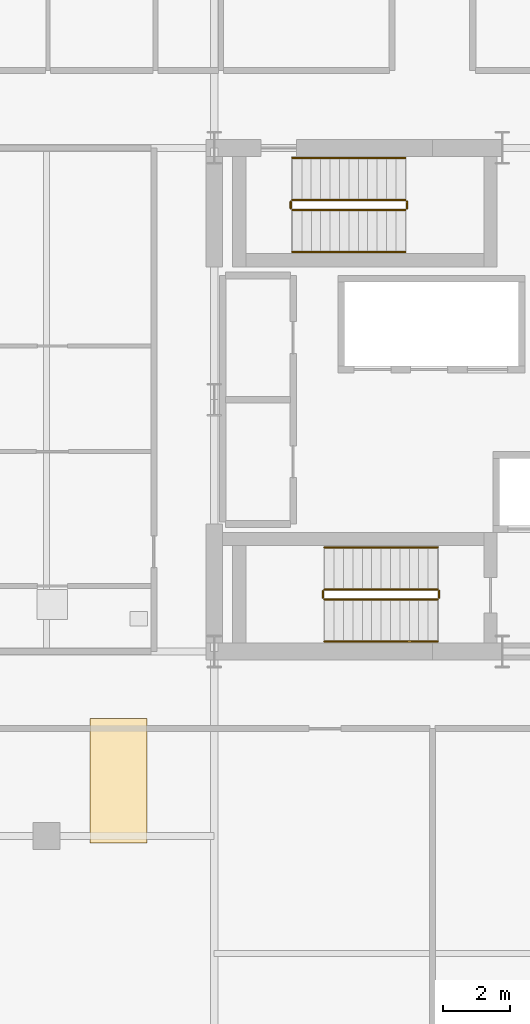
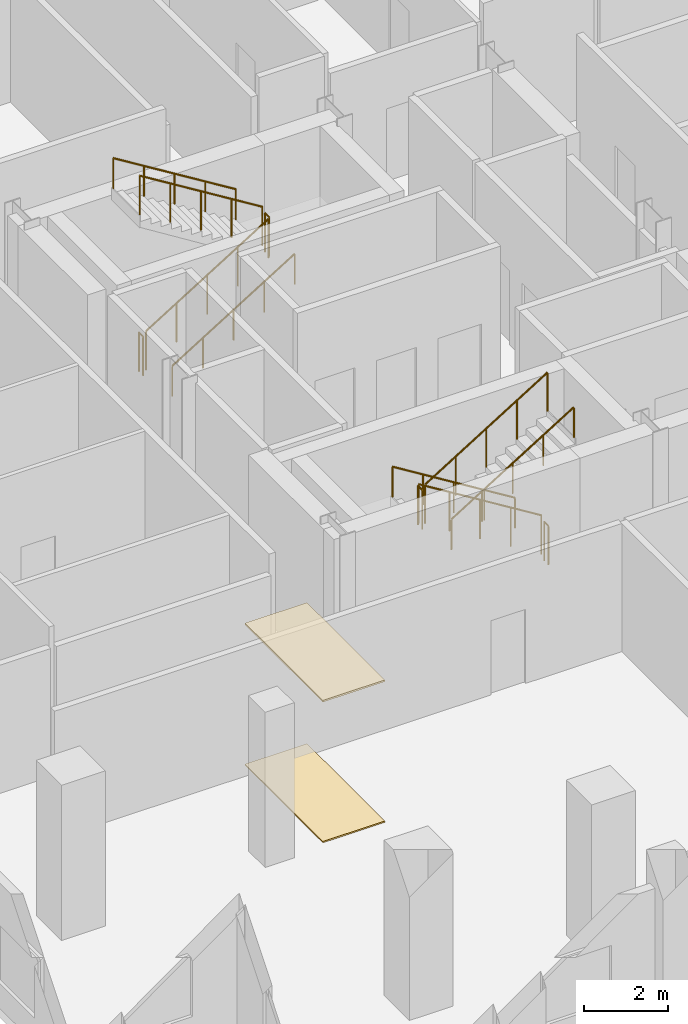
# One storey, part 18 of 19: 12 railings, 2 coverings.
"""IFC4 building model written with IfcOpenShell, lengths in metres."""

from ifc_helpers import new_model, si_unit, direction, frame, origin, origin_2d, place, context, subcontext, project, spatial, polyline, circle, outline, extrude, material, layer, layer_set, type_object, element, save


model = new_model("IFC4")

# Units and contexts
model_context = context("Model", 3, precision=1e-05, world=origin(), true_north=direction((0.0, 1.0)))
body_context = subcontext(model_context, "Body", "Model", "MODEL_VIEW")
ifc_project = project(units=[si_unit("LENGTHUNIT", "METRE"), si_unit("AREAUNIT", "SQUARE_METRE"), si_unit("VOLUMEUNIT", "CUBIC_METRE"), si_unit("PLANEANGLEUNIT", "RADIAN"), si_unit("MASSUNIT", "GRAM", prefix="KILO")], contexts=[model_context])

# Site, building, storey
site_placement = place(None, origin())
site = spatial("IfcSite", under=ifc_project, at=site_placement, CompositionType="ELEMENT")
building_placement = place(site_placement, origin())
building = spatial("IfcBuilding", under=site, at=building_placement, Name="Barlavira Tower and Art Museum", CompositionType="ELEMENT")
storey_placement = place(building_placement, frame((0.0, 0.0, 125.10009765625)))
storey = spatial("IfcBuildingStorey", under=building, at=storey_placement, Name="L31", CompositionType="ELEMENT", Elevation=125.10009765625)

# Covering
ifc_material_1 = material(Name="Polished Catarinense terrazzo", Category="concrete")
ifc_layer_1 = layer(ifc_material_1, 0.0400390625, Name="Polished Catarinense terrazzo")
ifc_layer_set_1 = layer_set([ifc_layer_1], Name="Polished Catarinense terrazzo")
covering_type_1 = type_object("IfcCoveringType", Name="Gallery Terrazzo Architectural Flooring 40", PredefinedType="FLOORING", material=ifc_layer_set_1)
covering_1_placement = place(storey_placement, origin())
element("IfcCovering", 1, at=covering_1_placement, inside=storey, type_object=covering_type_1, Name="L31 Lobby Terrazzo Flooring", PredefinedType="FLOORING", context=body_context, shape_type="SweptSolid", body=[
    extrude(outline(polyline([(-10.199951171875, -13.199951171875), (-8.5, -13.199951171875), (-8.5, -9.5), (-10.199951171875, -9.5), (-10.199951171875, -13.199951171875)])), origin(), (0.0, 0.0, 1.0), 0.039794921875),
])

# Railings
ifc_material_2 = material(Name="Brushed stainless steel", Category="steel")
railing_type_1 = type_object("IfcRailingType", Name="Interior Void and Landing Guard Railing 1150", PredefinedType="GUARDRAIL", material=ifc_material_2)
railing_1_placement = place(storey_placement, frame((0.14990234375, -5.64990234375, 0.173095703125)))
element("IfcRailing", 2, at=railing_1_placement, inside=storey, type_object=railing_type_1, Name="L31 ST-T1 stair guard 1", PredefinedType="GUARDRAIL", context=body_context, shape_type="SweptSolid", body=[
    extrude(circle(Radius=0.02392578125, at=origin_2d()), frame((0.0, 0.0, 1.1259765625), z_axis=(-0.850606129759, 0.0, 0.525803396734), x_axis=(0.0, -1.0, 0.0)), (0.0, 0.0, 1.0), 3.949951171875),
    extrude(circle(Radius=0.02099609375, at=origin_2d()), origin(), (0.0, 0.0, 1.0), 1.101806640625),
    extrude(circle(Radius=0.02099609375, at=origin_2d()), frame((-0.83984375, 0.0, 0.519287109375)), (0.0, 0.0, 1.0), 1.101806640625),
    extrude(circle(Radius=0.02099609375, at=origin_2d()), frame((-1.679931640625, 0.0, 1.03857421875)), (0.0, 0.0, 1.0), 1.101806640625),
    extrude(circle(Radius=0.02099609375, at=origin_2d()), frame((-2.52001953125, 0.0, 1.5576171875)), (0.0, 0.0, 1.0), 1.101806640625),
    extrude(circle(Radius=0.02099609375, at=origin_2d()), frame((-3.35986328125, 0.0, 2.076904296875)), (0.0, 0.0, 1.0), 1.101806640625),
])
railing_2_placement = place(storey_placement, frame((-3.260009765625, -5.699951171875, 2.25)))
element("IfcRailing", 3, at=railing_2_placement, inside=storey, type_object=railing_type_1, Name="L31 ST-T1 stair guard 2", PredefinedType="GUARDRAIL", context=body_context, shape_type="SweptSolid", body=[
    extrude(circle(Radius=0.02392578125, at=origin_2d()), frame((0.0, 0.0, 1.1259765625), z_axis=(0.0, -1.0, 0.0), x_axis=(1.0, 0.0, 0.0)), (0.0, 0.0, 1.0), 0.199951171875),
    extrude(circle(Radius=0.02099609375, at=origin_2d()), origin(), (0.0, 0.0, 1.0), 1.101806640625),
    extrude(circle(Radius=0.02099609375, at=origin_2d()), frame((0.0, -0.199951171875, 0.0)), (0.0, 0.0, 1.0), 1.101806640625),
])
railing_3_placement = place(storey_placement, frame((-3.2099609375, -5.949951171875, 2.423095703125)))
element("IfcRailing", 4, at=railing_3_placement, inside=storey, type_object=railing_type_1, Name="L31 ST-T1 stair guard 3", PredefinedType="GUARDRAIL", context=body_context, shape_type="SweptSolid", body=[
    extrude(circle(Radius=0.02392578125, at=origin_2d()), frame((0.0, 0.0, 1.1259765625), z_axis=(0.850606129759, 0.0, 0.525803396734), x_axis=(0.0, 1.0, 0.0)), (0.0, 0.0, 1.0), 3.949951171875),
    extrude(circle(Radius=0.02099609375, at=origin_2d()), origin(), (0.0, 0.0, 1.0), 1.101806640625),
    extrude(circle(Radius=0.02099609375, at=origin_2d()), frame((0.83984375, 0.0, 0.519287109375)), (0.0, 0.0, 1.0), 1.101806640625),
    extrude(circle(Radius=0.02099609375, at=origin_2d()), frame((1.679931640625, 0.0, 1.03857421875)), (0.0, 0.0, 1.0), 1.101806640625),
    extrude(circle(Radius=0.02099609375, at=origin_2d()), frame((2.52001953125, 0.0, 1.5576171875)), (0.0, 0.0, 1.0), 1.101806640625),
    extrude(circle(Radius=0.02099609375, at=origin_2d()), frame((3.35986328125, 0.0, 2.076904296875)), (0.0, 0.0, 1.0), 1.101806640625),
])
railing_4_placement = place(storey_placement, frame((0.199951171875, -5.699951171875, 0.0)))
element("IfcRailing", 5, at=railing_4_placement, inside=storey, type_object=railing_type_1, Name="L31 ST-T1 stair guard 4", PredefinedType="GUARDRAIL", context=body_context, shape_type="SweptSolid", body=[
    extrude(circle(Radius=0.02392578125, at=origin_2d()), frame((0.0, 0.0, 1.1259765625), z_axis=(0.0, -1.0, 0.0), x_axis=(1.0, 0.0, 0.0)), (0.0, 0.0, 1.0), 0.199951171875),
    extrude(circle(Radius=0.02099609375, at=origin_2d()), origin(), (0.0, 0.0, 1.0), 1.101806640625),
    extrude(circle(Radius=0.02099609375, at=origin_2d()), frame((0.0, -0.199951171875, 0.0)), (0.0, 0.0, 1.0), 1.101806640625),
])
railing_5_placement = place(storey_placement, frame((-4.169921875, 5.64990234375, 0.173095703125)))
element("IfcRailing", 6, at=railing_5_placement, inside=storey, type_object=railing_type_1, Name="L31 ST-T2 stair guard 1", PredefinedType="GUARDRAIL", context=body_context, shape_type="SweptSolid", body=[
    extrude(circle(Radius=0.02392578125, at=origin_2d()), frame((0.0, 0.0, 1.1259765625), z_axis=(0.850606129759, 0.0, 0.525803396734), x_axis=(0.0, 1.0, 0.0)), (0.0, 0.0, 1.0), 3.949951171875),
    extrude(circle(Radius=0.02099609375, at=origin_2d()), origin(), (0.0, 0.0, 1.0), 1.101806640625),
    extrude(circle(Radius=0.02099609375, at=origin_2d()), frame((0.83984375, 0.0, 0.519287109375)), (0.0, 0.0, 1.0), 1.101806640625),
    extrude(circle(Radius=0.02099609375, at=origin_2d()), frame((1.679931640625, 0.0, 1.03857421875)), (0.0, 0.0, 1.0), 1.101806640625),
    extrude(circle(Radius=0.02099609375, at=origin_2d()), frame((2.52001953125, 0.0, 1.5576171875)), (0.0, 0.0, 1.0), 1.101806640625),
    extrude(circle(Radius=0.02099609375, at=origin_2d()), frame((3.35986328125, 0.0, 2.076904296875)), (0.0, 0.0, 1.0), 1.101806640625),
])
railing_6_placement = place(storey_placement, frame((-0.760009765625, 5.699951171875, 2.25)))
element("IfcRailing", 7, at=railing_6_placement, inside=storey, type_object=railing_type_1, Name="L31 ST-T2 stair guard 2", PredefinedType="GUARDRAIL", context=body_context, shape_type="SweptSolid", body=[
    extrude(circle(Radius=0.02392578125, at=origin_2d()), frame((0.0, 0.0, 1.1259765625), z_axis=(0.0, 1.0, 0.0), x_axis=(-1.0, 0.0, 0.0)), (0.0, 0.0, 1.0), 0.199951171875),
    extrude(circle(Radius=0.02099609375, at=origin_2d()), origin(), (0.0, 0.0, 1.0), 1.101806640625),
    extrude(circle(Radius=0.02099609375, at=origin_2d()), frame((0.0, 0.199951171875, 0.0)), (0.0, 0.0, 1.0), 1.101806640625),
])
railing_7_placement = place(storey_placement, frame((-0.81005859375, 5.949951171875, 2.423095703125)))
element("IfcRailing", 8, at=railing_7_placement, inside=storey, type_object=railing_type_1, Name="L31 ST-T2 stair guard 3", PredefinedType="GUARDRAIL", context=body_context, shape_type="SweptSolid", body=[
    extrude(circle(Radius=0.02392578125, at=origin_2d()), frame((0.0, 0.0, 1.1259765625), z_axis=(-0.850606129759, 0.0, 0.525803396734), x_axis=(0.0, -1.0, 0.0)), (0.0, 0.0, 1.0), 3.949951171875),
    extrude(circle(Radius=0.02099609375, at=origin_2d()), origin(), (0.0, 0.0, 1.0), 1.101806640625),
    extrude(circle(Radius=0.02099609375, at=origin_2d()), frame((-0.83984375, 0.0, 0.519287109375)), (0.0, 0.0, 1.0), 1.101806640625),
    extrude(circle(Radius=0.02099609375, at=origin_2d()), frame((-1.679931640625, 0.0, 1.03857421875)), (0.0, 0.0, 1.0), 1.101806640625),
    extrude(circle(Radius=0.02099609375, at=origin_2d()), frame((-2.52001953125, 0.0, 1.5576171875)), (0.0, 0.0, 1.0), 1.101806640625),
    extrude(circle(Radius=0.02099609375, at=origin_2d()), frame((-3.35986328125, 0.0, 2.076904296875)), (0.0, 0.0, 1.0), 1.101806640625),
])
railing_8_placement = place(storey_placement, frame((-4.219970703125, 5.699951171875, 0.0)))
element("IfcRailing", 9, at=railing_8_placement, inside=storey, type_object=railing_type_1, Name="L31 ST-T2 stair guard 4", PredefinedType="GUARDRAIL", context=body_context, shape_type="SweptSolid", body=[
    extrude(circle(Radius=0.02392578125, at=origin_2d()), frame((0.0, 0.0, 1.1259765625), z_axis=(0.0, 1.0, 0.0), x_axis=(-1.0, 0.0, 0.0)), (0.0, 0.0, 1.0), 0.199951171875),
    extrude(circle(Radius=0.02099609375, at=origin_2d()), origin(), (0.0, 0.0, 1.0), 1.101806640625),
    extrude(circle(Radius=0.02099609375, at=origin_2d()), frame((0.0, 0.199951171875, 0.0)), (0.0, 0.0, 1.0), 1.101806640625),
])

# Covering
ifc_material_3 = material(Name="FSC acoustic timber slat", Category="wood")
ifc_layer_2 = layer(ifc_material_3, 0.050048828125, Name="FSC acoustic timber slat")
ifc_layer_set_2 = layer_set([ifc_layer_2], Name="FSC acoustic timber slat")
covering_type_2 = type_object("IfcCoveringType", Name="Lobby Acoustic Timber-Slat Suspended Ceiling 50", PredefinedType="CEILING", material=ifc_layer_set_2)
covering_2_placement = place(storey_placement, frame((0.0, 0.0, 4.079833984375)))
element("IfcCovering", 10, at=covering_2_placement, inside=storey, type_object=covering_type_2, Name="L31 Lobby Acoustic Timber Ceiling", PredefinedType="CEILING", context=body_context, shape_type="SweptSolid", body=[
    extrude(outline(polyline([(-10.199951171875, -13.199951171875), (-8.5, -13.199951171875), (-8.5, -9.5), (-10.199951171875, -9.5), (-10.199951171875, -13.199951171875)])), origin(), (0.0, 0.0, 1.0), 0.050048828125),
])

# Railings
railing_type_2 = type_object("IfcRailingType", Name="Stair Pitch Tubular Steel Handrail 920", PredefinedType="HANDRAIL", material=ifc_material_2)
railing_9_placement = place(storey_placement, frame((0.14990234375, -4.39990234375, 0.173095703125)))
element("IfcRailing", 11, at=railing_9_placement, inside=storey, type_object=railing_type_2, Name="L31 ST-T1 stair handrail 1", PredefinedType="HANDRAIL", context=body_context, shape_type="SweptSolid", body=[
    extrude(circle(Radius=0.02392578125, at=origin_2d()), frame((0.0, 0.0, 0.8759765625), z_axis=(-0.850606129759, 0.0, 0.525803396734), x_axis=(0.0, -1.0, 0.0)), (0.0, 0.0, 1.0), 3.949951171875),
    extrude(circle(Radius=0.02099609375, at=origin_2d()), origin(), (0.0, 0.0, 1.0), 0.851806640625),
    extrude(circle(Radius=0.02099609375, at=origin_2d()), frame((-0.83984375, 0.0, 0.519287109375)), (0.0, 0.0, 1.0), 0.851806640625),
    extrude(circle(Radius=0.02099609375, at=origin_2d()), frame((-1.679931640625, 0.0, 1.03857421875)), (0.0, 0.0, 1.0), 0.851806640625),
    extrude(circle(Radius=0.02099609375, at=origin_2d()), frame((-2.52001953125, 0.0, 1.5576171875)), (0.0, 0.0, 1.0), 0.851806640625),
    extrude(circle(Radius=0.02099609375, at=origin_2d()), frame((-3.35986328125, 0.0, 2.076904296875)), (0.0, 0.0, 1.0), 0.851806640625),
])
for number, where, name in (
    (12, (-3.2099609375, -7.199951171875, 2.423095703125), "L31 ST-T1 stair handrail 2"),
    (13, (-4.169921875, 4.39990234375, 0.173095703125), "L31 ST-T2 stair handrail 1"),
):
    element("IfcRailing", number, at=place(storey_placement, frame(where)), inside=storey, type_object=railing_type_2, Name=name, PredefinedType="HANDRAIL", context=body_context, shape_type="SweptSolid", body=[
        extrude(circle(Radius=0.02392578125, at=origin_2d()), frame((0.0, 0.0, 0.8759765625), z_axis=(0.850606129759, 0.0, 0.525803396734), x_axis=(0.0, 1.0, 0.0)), (0.0, 0.0, 1.0), 3.949951171875),
        extrude(circle(Radius=0.02099609375, at=origin_2d()), origin(), (0.0, 0.0, 1.0), 0.851806640625),
        extrude(circle(Radius=0.02099609375, at=origin_2d()), frame((0.83984375, 0.0, 0.519287109375)), (0.0, 0.0, 1.0), 0.851806640625),
        extrude(circle(Radius=0.02099609375, at=origin_2d()), frame((1.679931640625, 0.0, 1.03857421875)), (0.0, 0.0, 1.0), 0.851806640625),
        extrude(circle(Radius=0.02099609375, at=origin_2d()), frame((2.52001953125, 0.0, 1.5576171875)), (0.0, 0.0, 1.0), 0.851806640625),
        extrude(circle(Radius=0.02099609375, at=origin_2d()), frame((3.35986328125, 0.0, 2.076904296875)), (0.0, 0.0, 1.0), 0.851806640625),
    ])
railing_10_placement = place(storey_placement, frame((-0.81005859375, 7.199951171875, 2.423095703125)))
element("IfcRailing", 14, at=railing_10_placement, inside=storey, type_object=railing_type_2, Name="L31 ST-T2 stair handrail 2", PredefinedType="HANDRAIL", context=body_context, shape_type="SweptSolid", body=[
    extrude(circle(Radius=0.02392578125, at=origin_2d()), frame((0.0, 0.0, 0.8759765625), z_axis=(-0.850606129759, 0.0, 0.525803396734), x_axis=(0.0, -1.0, 0.0)), (0.0, 0.0, 1.0), 3.949951171875),
    extrude(circle(Radius=0.02099609375, at=origin_2d()), origin(), (0.0, 0.0, 1.0), 0.851806640625),
    extrude(circle(Radius=0.02099609375, at=origin_2d()), frame((-0.83984375, 0.0, 0.519287109375)), (0.0, 0.0, 1.0), 0.851806640625),
    extrude(circle(Radius=0.02099609375, at=origin_2d()), frame((-1.679931640625, 0.0, 1.03857421875)), (0.0, 0.0, 1.0), 0.851806640625),
    extrude(circle(Radius=0.02099609375, at=origin_2d()), frame((-2.52001953125, 0.0, 1.5576171875)), (0.0, 0.0, 1.0), 0.851806640625),
    extrude(circle(Radius=0.02099609375, at=origin_2d()), frame((-3.35986328125, 0.0, 2.076904296875)), (0.0, 0.0, 1.0), 0.851806640625),
])

save(model, "model.ifc")
